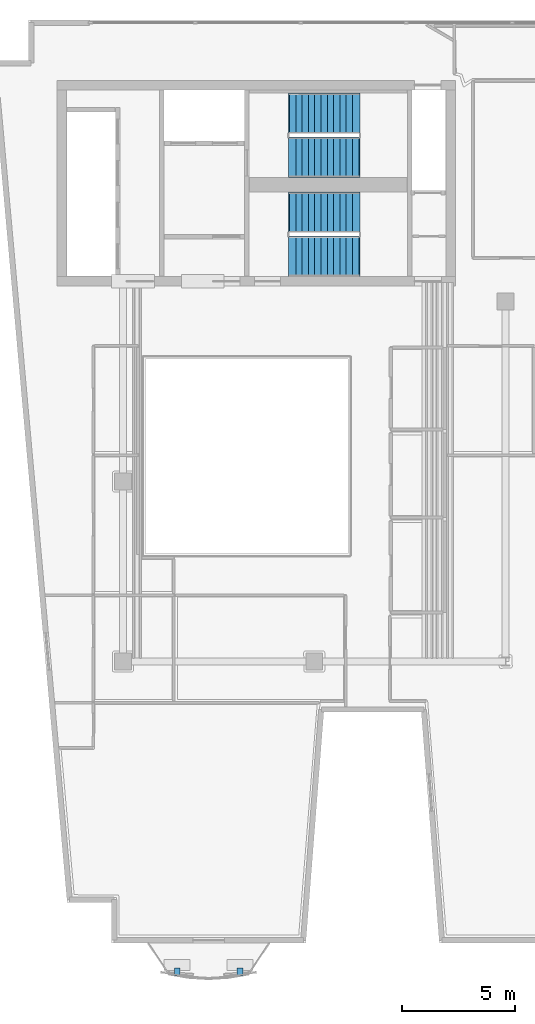
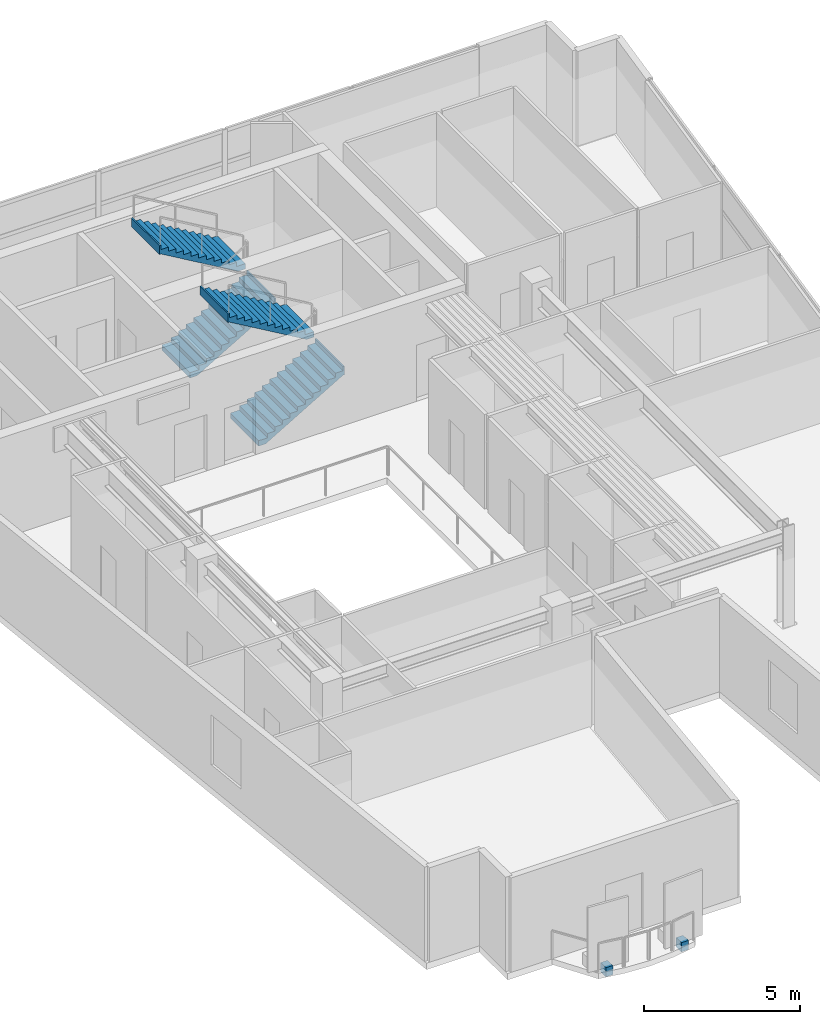
# One storey, part 6 of 8: 4 stair flights, 2 discrete accessories, 2 elements without a shape of their own.
"""IFC4 building model written with IfcOpenShell, lengths in metres."""

from ifc_helpers import new_model, si_unit, direction, frame, origin, origin_2d, place, context, subcontext, project, spatial, polyline, rectangle, outline, extrude, material, type_object, element, aggregate, save


model = new_model("IFC4")

# Units and contexts
model_context = context("Model", 3, precision=1e-05, world=origin(), true_north=direction((0.0, 1.0)))
body_context = subcontext(model_context, "Body", "Model", "MODEL_VIEW")
ifc_project = project(units=[si_unit("LENGTHUNIT", "METRE"), si_unit("AREAUNIT", "SQUARE_METRE"), si_unit("VOLUMEUNIT", "CUBIC_METRE"), si_unit("PLANEANGLEUNIT", "RADIAN"), si_unit("MASSUNIT", "GRAM", prefix="KILO")], contexts=[model_context])

# Site, building, storey
site_placement = place(None, origin())
site = spatial("IfcSite", under=ifc_project, at=site_placement, CompositionType="ELEMENT")
building_placement = place(site_placement, origin())
building = spatial("IfcBuilding", under=site, at=building_placement, Name="Caeloran Harvest Quay", CompositionType="ELEMENT")
storey_placement = place(building_placement, frame((0.0, 0.0, 272.5)))
storey = spatial("IfcBuildingStorey", under=building, at=storey_placement, Name="L65", CompositionType="ELEMENT", Elevation=272.5)

# Stair, stair flights
ifc_material_1 = material(Name="Concrete C50/60", Category="concrete")
stair_type = type_object("IfcStairType", Name="STAIR-STC-180", PredefinedType="HALF_TURN_STAIR", material=ifc_material_1)
stair_1_placement = place(storey_placement, origin())
stair_1 = element("IfcStair", 1, at=stair_1_placement, inside=storey, type_object=stair_type, Name="L65 Core Pressurized Exit Stair ST-C1", PredefinedType="HALF_TURN_STAIR")
stair_flight_type = type_object("IfcStairFlightType", Name="FLIGHT-STC-180", PredefinedType="STRAIGHT", material=ifc_material_1)
stair_flight_1_placement = place(storey_placement, frame((15.89990234375, 37.39990234375, 0.0), z_axis=(0.0, 0.0, 1.0), x_axis=(1.0, 0.0, 0.0)))
stair_flight_1 = element("IfcStairFlight", 2, at=stair_flight_1_placement, type_object=stair_flight_type, Name="ST-C1 flight 1", NumberOfRisers=12, NumberOfTreads=11, PredefinedType="STRAIGHT", RiserHeight=0.164583333, TreadLength=0.28, context=body_context, shape_type="SweptSolid", body=[
    extrude(outline(polyline([(-0.054931640625, -0.044921875), (-0.054931640625, -0.031982421875), (-0.054931640625, -0.018798828125), (-0.054931640625, -0.005615234375), (-0.054931640625, 0.00732421875), (-0.054931640625, 0.0205078125), (-0.054931640625, 0.03369140625), (-0.054931640625, 0.046630859375), (-0.054931640625, 0.059814453125), (-0.054931640625, 0.072998046875), (-0.054931640625, 0.0859375), (-0.054931640625, 0.09912109375), (-0.054931640625, 0.1123046875), (-0.054931640625, 0.125244140625), (-0.054931640625, 0.138427734375), (-0.054931640625, 0.1513671875), (-0.054931640625, 0.16455078125), (0.280029296875, 0.16455078125), (0.280029296875, 0.3291015625), (0.56005859375, 0.3291015625), (0.56005859375, 0.49365234375), (0.840087890625, 0.49365234375), (0.840087890625, 0.658447265625), (1.1201171875, 0.658447265625), (1.1201171875, 0.822998046875), (1.39990234375, 0.822998046875), (1.39990234375, 0.987548828125), (1.679931640625, 0.987548828125), (1.679931640625, 1.152099609375), (1.9599609375, 1.152099609375), (1.9599609375, 1.316650390625), (2.239990234375, 1.316650390625), (2.239990234375, 1.481201171875), (2.52001953125, 1.481201171875), (2.52001953125, 1.645751953125), (2.800048828125, 1.645751953125), (2.800048828125, 1.810302734375), (3.080078125, 1.810302734375), (3.080078125, 1.97509765625), (3.135009765625, 1.97509765625), (3.135009765625, 1.953857421875), (3.135009765625, 1.9326171875), (3.135009765625, 1.91162109375), (3.135009765625, 1.890380859375), (3.135009765625, 1.869140625), (3.135009765625, 1.84814453125), (3.135009765625, 1.826904296875), (3.135009765625, 1.8056640625), (3.135009765625, 1.78466796875), (3.135009765625, 1.763427734375), (3.135009765625, 1.7421875), (3.135009765625, 1.72119140625), (3.135009765625, 1.699951171875), (3.135009765625, 1.678955078125), (3.135009765625, 1.65771484375), (3.135009765625, 1.636474609375), (3.080078125, 1.636474609375), (0.21923828125, -0.044921875), (-0.054931640625, -0.044921875)])), frame((0.0, 0.89990234375, 0.0), z_axis=(0.0, -1.0, 0.0), x_axis=(1.0, 0.0, 0.0)), (0.0, 0.0, 1.0), 1.800048828125),
])
stair_flight_2_placement = place(storey_placement, frame((18.97998046875, 39.35009765625, 1.97509765625), z_axis=(0.0, 0.0, 1.0), x_axis=(-1.0, 0.0, 0.0)))
stair_flight_2 = element("IfcStairFlight", 3, at=stair_flight_2_placement, type_object=stair_flight_type, Name="ST-C1 flight 2", NumberOfRisers=12, NumberOfTreads=11, PredefinedType="STRAIGHT", RiserHeight=0.164583333, TreadLength=0.28, context=body_context, shape_type="SweptSolid", body=[
    extrude(outline(polyline([(-0.054931640625, -0.044921875), (-0.054931640625, -0.031982421875), (-0.054931640625, -0.018798828125), (-0.054931640625, -0.005615234375), (-0.054931640625, 0.00732421875), (-0.054931640625, 0.0205078125), (-0.054931640625, 0.03369140625), (-0.054931640625, 0.046630859375), (-0.054931640625, 0.059814453125), (-0.054931640625, 0.072998046875), (-0.054931640625, 0.0859375), (-0.054931640625, 0.09912109375), (-0.054931640625, 0.1123046875), (-0.054931640625, 0.125244140625), (-0.054931640625, 0.138427734375), (-0.054931640625, 0.1513671875), (-0.054931640625, 0.16455078125), (0.280029296875, 0.16455078125), (0.280029296875, 0.3291015625), (0.56005859375, 0.3291015625), (0.56005859375, 0.49365234375), (0.840087890625, 0.49365234375), (0.840087890625, 0.658447265625), (1.1201171875, 0.658447265625), (1.1201171875, 0.822998046875), (1.39990234375, 0.822998046875), (1.39990234375, 0.987548828125), (1.679931640625, 0.987548828125), (1.679931640625, 1.152099609375), (1.9599609375, 1.152099609375), (1.9599609375, 1.316650390625), (2.239990234375, 1.316650390625), (2.239990234375, 1.481201171875), (2.52001953125, 1.481201171875), (2.52001953125, 1.645751953125), (2.800048828125, 1.645751953125), (2.800048828125, 1.810302734375), (3.080078125, 1.810302734375), (3.080078125, 1.97509765625), (3.135009765625, 1.97509765625), (3.135009765625, 1.953857421875), (3.135009765625, 1.9326171875), (3.135009765625, 1.91162109375), (3.135009765625, 1.890380859375), (3.135009765625, 1.869140625), (3.135009765625, 1.84814453125), (3.135009765625, 1.826904296875), (3.135009765625, 1.8056640625), (3.135009765625, 1.78466796875), (3.135009765625, 1.763427734375), (3.135009765625, 1.7421875), (3.135009765625, 1.72119140625), (3.135009765625, 1.699951171875), (3.135009765625, 1.678955078125), (3.135009765625, 1.65771484375), (3.135009765625, 1.636474609375), (3.080078125, 1.636474609375), (0.21923828125, -0.044921875), (-0.054931640625, -0.044921875)])), frame((0.0, 0.89990234375, 0.0), z_axis=(0.0, -1.0, 0.0), x_axis=(1.0, 0.0, 0.0)), (0.0, 0.0, 1.0), 1.800048828125),
])
aggregate(stair_1, [stair_flight_1, stair_flight_2])

stair_2_placement = place(storey_placement, origin())
stair_2 = element("IfcStair", 4, at=stair_2_placement, inside=storey, type_object=stair_type, Name="L65 Core Pressurized Exit Stair ST-C2", PredefinedType="HALF_TURN_STAIR")
stair_flight_3_placement = place(storey_placement, frame((15.89990234375, 33.0, 0.0), z_axis=(0.0, 0.0, 1.0), x_axis=(1.0, 0.0, 0.0)))
stair_flight_3 = element("IfcStairFlight", 5, at=stair_flight_3_placement, type_object=stair_flight_type, Name="ST-C2 flight 1", NumberOfRisers=12, NumberOfTreads=11, PredefinedType="STRAIGHT", RiserHeight=0.164583333, TreadLength=0.28, context=body_context, shape_type="SweptSolid", body=[
    extrude(outline(polyline([(-0.054931640625, -0.044921875), (-0.054931640625, -0.031982421875), (-0.054931640625, -0.018798828125), (-0.054931640625, -0.005615234375), (-0.054931640625, 0.00732421875), (-0.054931640625, 0.0205078125), (-0.054931640625, 0.03369140625), (-0.054931640625, 0.046630859375), (-0.054931640625, 0.059814453125), (-0.054931640625, 0.072998046875), (-0.054931640625, 0.0859375), (-0.054931640625, 0.09912109375), (-0.054931640625, 0.1123046875), (-0.054931640625, 0.125244140625), (-0.054931640625, 0.138427734375), (-0.054931640625, 0.1513671875), (-0.054931640625, 0.16455078125), (0.280029296875, 0.16455078125), (0.280029296875, 0.3291015625), (0.56005859375, 0.3291015625), (0.56005859375, 0.49365234375), (0.840087890625, 0.49365234375), (0.840087890625, 0.658447265625), (1.1201171875, 0.658447265625), (1.1201171875, 0.822998046875), (1.39990234375, 0.822998046875), (1.39990234375, 0.987548828125), (1.679931640625, 0.987548828125), (1.679931640625, 1.152099609375), (1.9599609375, 1.152099609375), (1.9599609375, 1.316650390625), (2.239990234375, 1.316650390625), (2.239990234375, 1.481201171875), (2.52001953125, 1.481201171875), (2.52001953125, 1.645751953125), (2.800048828125, 1.645751953125), (2.800048828125, 1.810302734375), (3.080078125, 1.810302734375), (3.080078125, 1.97509765625), (3.135009765625, 1.97509765625), (3.135009765625, 1.953857421875), (3.135009765625, 1.9326171875), (3.135009765625, 1.91162109375), (3.135009765625, 1.890380859375), (3.135009765625, 1.869140625), (3.135009765625, 1.84814453125), (3.135009765625, 1.826904296875), (3.135009765625, 1.8056640625), (3.135009765625, 1.78466796875), (3.135009765625, 1.763427734375), (3.135009765625, 1.7421875), (3.135009765625, 1.72119140625), (3.135009765625, 1.699951171875), (3.135009765625, 1.678955078125), (3.135009765625, 1.65771484375), (3.135009765625, 1.636474609375), (3.080078125, 1.636474609375), (0.21923828125, -0.044921875), (-0.054931640625, -0.044921875)])), frame((0.0, 0.89990234375, 0.0), z_axis=(0.0, -1.0, 0.0), x_axis=(1.0, 0.0, 0.0)), (0.0, 0.0, 1.0), 1.800048828125),
])
stair_flight_4_placement = place(storey_placement, frame((18.97998046875, 34.949951171875, 1.97509765625), z_axis=(0.0, 0.0, 1.0), x_axis=(-1.0, 0.0, 0.0)))
stair_flight_4 = element("IfcStairFlight", 6, at=stair_flight_4_placement, type_object=stair_flight_type, Name="ST-C2 flight 2", NumberOfRisers=12, NumberOfTreads=11, PredefinedType="STRAIGHT", RiserHeight=0.164583333, TreadLength=0.28, context=body_context, shape_type="SweptSolid", body=[
    extrude(outline(polyline([(-0.054931640625, -0.044921875), (-0.054931640625, -0.031982421875), (-0.054931640625, -0.018798828125), (-0.054931640625, -0.005615234375), (-0.054931640625, 0.00732421875), (-0.054931640625, 0.0205078125), (-0.054931640625, 0.03369140625), (-0.054931640625, 0.046630859375), (-0.054931640625, 0.059814453125), (-0.054931640625, 0.072998046875), (-0.054931640625, 0.0859375), (-0.054931640625, 0.09912109375), (-0.054931640625, 0.1123046875), (-0.054931640625, 0.125244140625), (-0.054931640625, 0.138427734375), (-0.054931640625, 0.1513671875), (-0.054931640625, 0.16455078125), (0.280029296875, 0.16455078125), (0.280029296875, 0.3291015625), (0.56005859375, 0.3291015625), (0.56005859375, 0.49365234375), (0.840087890625, 0.49365234375), (0.840087890625, 0.658447265625), (1.1201171875, 0.658447265625), (1.1201171875, 0.822998046875), (1.39990234375, 0.822998046875), (1.39990234375, 0.987548828125), (1.679931640625, 0.987548828125), (1.679931640625, 1.152099609375), (1.9599609375, 1.152099609375), (1.9599609375, 1.316650390625), (2.239990234375, 1.316650390625), (2.239990234375, 1.481201171875), (2.52001953125, 1.481201171875), (2.52001953125, 1.645751953125), (2.800048828125, 1.645751953125), (2.800048828125, 1.810302734375), (3.080078125, 1.810302734375), (3.080078125, 1.97509765625), (3.135009765625, 1.97509765625), (3.135009765625, 1.953857421875), (3.135009765625, 1.9326171875), (3.135009765625, 1.91162109375), (3.135009765625, 1.890380859375), (3.135009765625, 1.869140625), (3.135009765625, 1.84814453125), (3.135009765625, 1.826904296875), (3.135009765625, 1.8056640625), (3.135009765625, 1.78466796875), (3.135009765625, 1.763427734375), (3.135009765625, 1.7421875), (3.135009765625, 1.72119140625), (3.135009765625, 1.699951171875), (3.135009765625, 1.678955078125), (3.135009765625, 1.65771484375), (3.135009765625, 1.636474609375), (3.080078125, 1.636474609375), (0.21923828125, -0.044921875), (-0.054931640625, -0.044921875)])), frame((0.0, 0.89990234375, 0.0), z_axis=(0.0, -1.0, 0.0), x_axis=(1.0, 0.0, 0.0)), (0.0, 0.0, 1.0), 1.800048828125),
])
aggregate(stair_2, [stair_flight_3, stair_flight_4])

# Discrete accessories
ifc_material_2 = material(Name="Stainless Steel Grade 316L", Category="steel")
discrete_accessory_type = type_object("IfcDiscreteAccessoryType", Name="BRACKET-SCREEN-SS", PredefinedType="BRACKET", material=ifc_material_2)
for number, where, z_axis, x_axis, name in (
    (7, (13.708740234375, 1.204833984375, -0.22021484375), (0.0, 0.0, 1.0), (1.0, 0.0, 0.0), "L65 Balcony Screen Support Bracket 1"),
    (8, (10.91015625, 1.204833984375, -0.22021484375), (0.0, 0.0, 1.0), (1.0, 0.0, 0.0), "L65 Balcony Screen Support Bracket 2"),
):
    element("IfcDiscreteAccessory", number, at=place(storey_placement, frame(where, z_axis=z_axis, x_axis=x_axis)), inside=storey, type_object=discrete_accessory_type, Name=name, PredefinedType="BRACKET", context=body_context, shape_type="SweptSolid", body=[
        extrude(rectangle(XDim=0.260009765625, YDim=0.340087890625, at=origin_2d()), origin(), (0.0, 0.0, 1.0), 0.360107421875),
    ])

save(model, "model.ifc")
